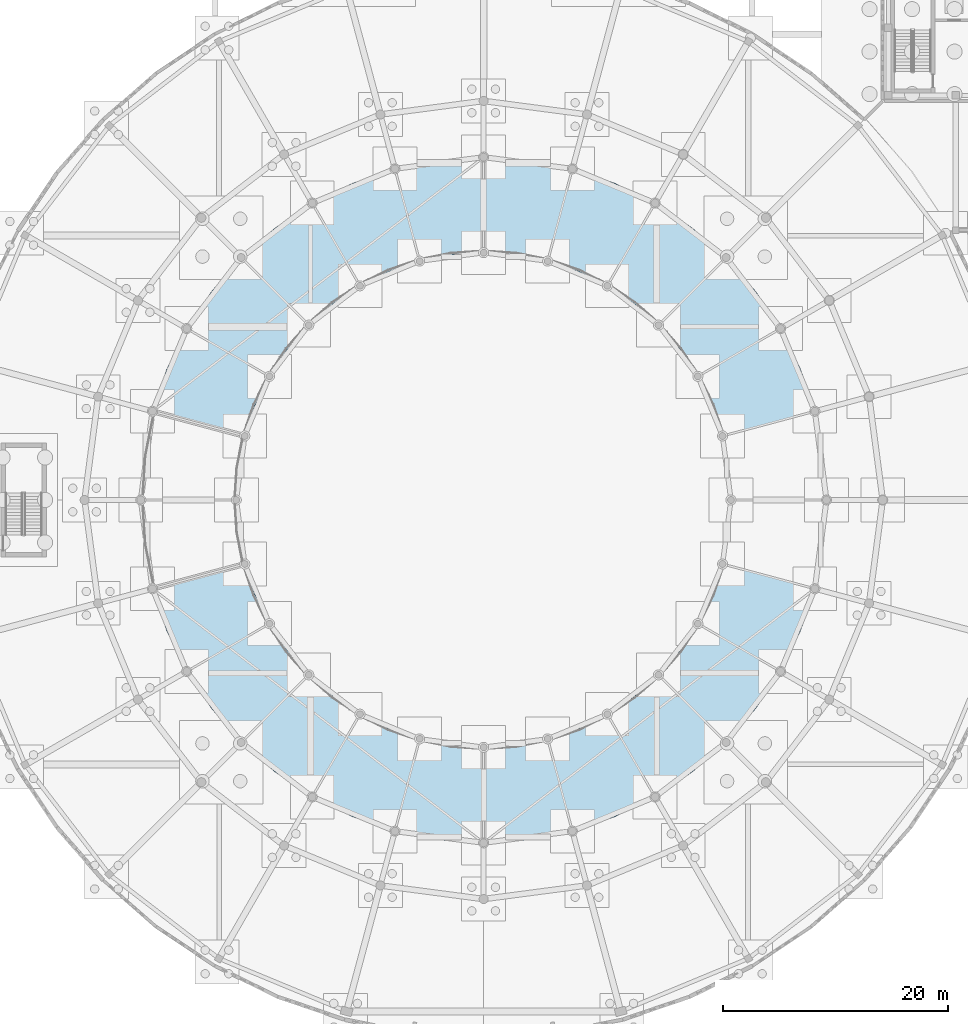
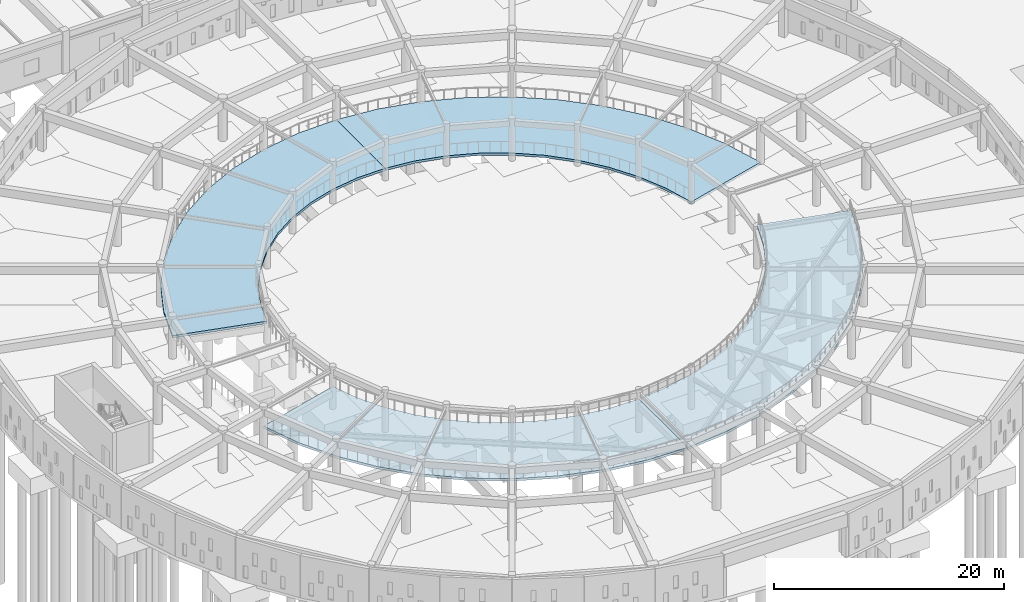
# One storey, part 66 of 84: 4 slabs.
"""IFC4 building model written with IfcOpenShell, lengths in metres."""

from ifc_helpers import new_model, si_unit, direction, origin, place, context, subcontext, project, spatial, polygons, material, layer, layer_set, type_object, element, save


model = new_model("IFC4")

# Units and contexts
model_context = context("Model", 3, precision=1e-05, world=origin(), true_north=direction((0.0, 1.0)))
body_context = subcontext(model_context, "Body", "Model", "MODEL_VIEW")
ifc_project = project(units=[si_unit("LENGTHUNIT", "METRE"), si_unit("AREAUNIT", "SQUARE_METRE"), si_unit("VOLUMEUNIT", "CUBIC_METRE"), si_unit("PLANEANGLEUNIT", "RADIAN"), si_unit("MASSUNIT", "GRAM", prefix="KILO")], contexts=[model_context])

# Site, building, storey
site_placement = place(None, origin())
site = spatial("IfcSite", under=ifc_project, at=site_placement, CompositionType="ELEMENT")
building_placement = place(site_placement, origin())
building = spatial("IfcBuilding", under=site, at=building_placement, Name="Larkveld Mobility Hub", CompositionType="ELEMENT")
storey_placement = place(building_placement, origin())
storey = spatial("IfcBuildingStorey", under=building, at=storey_placement, Name="L00", CompositionType="ELEMENT", Elevation=0.0)

# Slabs
ifc_material = material(Name="Concrete C40/50", Category="concrete")
ifc_layer = layer(ifc_material, 0.25, Name="Concrete C40/50", Category="concrete")
ifc_layer_set = layer_set([ifc_layer], Name="Concrete C40/50")
slab_type = type_object("IfcSlabType", Name="SL-RMP-HEL-250", PredefinedType="FLOOR", material=ifc_layer_set)
slab_1_placement = place(storey_placement, origin())
element("IfcSlab", 1, at=slab_1_placement, inside=storey, type_object=slab_type, Name="Car park helical vehicle ramp slab R03-R13 (L00)", PredefinedType="FLOOR", context=body_context, shape_type="Tessellation", body=[
    polygons([(77.4609375, 55.89404296875, 0.0), (69.25, 53.694091796875, 0.0), (76.177978515625, 59.672119140625, 0.113037109375), (68.324951171875, 56.4189453125, 0.113037109375), (74.4140625, 63.25, 0.22509765625), (67.052978515625, 59.0, 0.22509765625), (72.197021484375, 66.56689453125, 0.3369140625), (65.4541015625, 61.39306640625, 0.3369140625), (69.56689453125, 69.56689453125, 0.449951171875), (63.555908203125, 63.555908203125, 0.449951171875), (66.56689453125, 72.197021484375, 0.56201171875), (61.39306640625, 65.4541015625, 0.56201171875), (63.25, 74.4140625, 0.675048828125), (59.0, 67.052978515625, 0.675048828125), (59.672119140625, 76.177978515625, 0.787109375), (56.4189453125, 68.324951171875, 0.787109375), (55.89404296875, 77.4609375, 0.89990234375), (53.694091796875, 69.25, 0.89990234375), (51.98095703125, 78.239013671875, 1.011962890625), (50.8720703125, 69.81201171875, 1.011962890625), (48.0, 78.5, 1.125), (48.0, 70.0, 1.125), (77.4609375, 55.89404296875, -0.25), (69.25, 53.694091796875, -0.25), (76.177978515625, 59.672119140625, -0.136962890625), (68.324951171875, 56.4189453125, -0.136962890625), (74.4140625, 63.25, -0.02490234375), (67.052978515625, 59.0, -0.02490234375), (72.197021484375, 66.56689453125, 0.0869140625), (65.4541015625, 61.39306640625, 0.0869140625), (69.56689453125, 69.56689453125, 0.199951171875), (63.555908203125, 63.555908203125, 0.199951171875), (66.56689453125, 72.197021484375, 0.31201171875), (61.39306640625, 65.4541015625, 0.31201171875), (63.25, 74.4140625, 0.425048828125), (59.0, 67.052978515625, 0.425048828125), (59.672119140625, 76.177978515625, 0.537109375), (56.4189453125, 68.324951171875, 0.537109375), (55.89404296875, 77.4609375, 0.64990234375), (53.694091796875, 69.25, 0.64990234375), (51.98095703125, 78.239013671875, 0.761962890625), (50.8720703125, 69.81201171875, 0.761962890625), (48.0, 78.5, 0.875), (48.0, 70.0, 0.875)], [[[1, 3, 4]], [[1, 4, 2]], [[23, 26, 25]], [[23, 24, 26]], [[1, 23, 25]], [[1, 25, 3]], [[2, 4, 26]], [[2, 26, 24]], [[3, 5, 6]], [[3, 6, 4]], [[25, 28, 27]], [[25, 26, 28]], [[3, 25, 27]], [[3, 27, 5]], [[4, 6, 28]], [[4, 28, 26]], [[5, 7, 8]], [[5, 8, 6]], [[27, 30, 29]], [[27, 28, 30]], [[5, 27, 29]], [[5, 29, 7]], [[6, 8, 30]], [[6, 30, 28]], [[7, 9, 10]], [[7, 10, 8]], [[29, 32, 31]], [[29, 30, 32]], [[7, 29, 31]], [[7, 31, 9]], [[8, 10, 32]], [[8, 32, 30]], [[9, 11, 12]], [[9, 12, 10]], [[31, 34, 33]], [[31, 32, 34]], [[9, 31, 33]], [[9, 33, 11]], [[10, 12, 34]], [[10, 34, 32]], [[11, 13, 14]], [[11, 14, 12]], [[33, 36, 35]], [[33, 34, 36]], [[11, 33, 35]], [[11, 35, 13]], [[12, 14, 36]], [[12, 36, 34]], [[13, 15, 16]], [[13, 16, 14]], [[35, 38, 37]], [[35, 36, 38]], [[13, 35, 37]], [[13, 37, 15]], [[14, 16, 38]], [[14, 38, 36]], [[15, 17, 18]], [[15, 18, 16]], [[37, 40, 39]], [[37, 38, 40]], [[15, 37, 39]], [[15, 39, 17]], [[16, 18, 40]], [[16, 40, 38]], [[17, 19, 20]], [[17, 20, 18]], [[39, 42, 41]], [[39, 40, 42]], [[17, 39, 41]], [[17, 41, 19]], [[18, 20, 42]], [[18, 42, 40]], [[19, 21, 22]], [[19, 22, 20]], [[41, 44, 43]], [[41, 42, 44]], [[19, 41, 43]], [[19, 43, 21]], [[20, 22, 44]], [[20, 44, 42]], [[1, 2, 24]], [[1, 24, 23]], [[21, 43, 44]], [[21, 44, 22]]], closed=True),
])
slab_2_placement = place(storey_placement, origin())
element("IfcSlab", 2, at=slab_2_placement, inside=storey, type_object=slab_type, Name="Car park helical vehicle ramp slab R13-R23 (L00)", PredefinedType="FLOOR", context=body_context, shape_type="Tessellation", body=[
    polygons([(48.0, 78.5, 1.125), (48.0, 70.0, 1.125), (44.01904296875, 78.239013671875, 1.238037109375), (45.1279296875, 69.81201171875, 1.238037109375), (40.10595703125, 77.4609375, 1.35009765625), (42.305908203125, 69.25, 1.35009765625), (36.327880859375, 76.177978515625, 1.4619140625), (39.5810546875, 68.324951171875, 1.4619140625), (32.75, 74.4140625, 1.574951171875), (37.0, 67.052978515625, 1.574951171875), (29.43310546875, 72.197021484375, 1.68798828125), (34.60693359375, 65.4541015625, 1.68798828125), (26.43310546875, 69.56689453125, 1.800048828125), (32.444091796875, 63.555908203125, 1.800048828125), (23.802978515625, 66.56689453125, 1.9130859375), (30.5458984375, 61.39306640625, 1.9130859375), (21.5859375, 63.25, 2.02490234375), (28.947021484375, 59.0, 2.02490234375), (19.822021484375, 59.672119140625, 2.137939453125), (27.675048828125, 56.4189453125, 2.137939453125), (18.5390625, 55.89404296875, 2.25), (26.75, 53.694091796875, 2.25), (48.0, 78.5, 0.875), (48.0, 70.0, 0.875), (44.01904296875, 78.239013671875, 0.988037109375), (45.1279296875, 69.81201171875, 0.988037109375), (40.10595703125, 77.4609375, 1.10009765625), (42.305908203125, 69.25, 1.10009765625), (36.327880859375, 76.177978515625, 1.2119140625), (39.5810546875, 68.324951171875, 1.2119140625), (32.75, 74.4140625, 1.324951171875), (37.0, 67.052978515625, 1.324951171875), (29.43310546875, 72.197021484375, 1.43798828125), (34.60693359375, 65.4541015625, 1.43798828125), (26.43310546875, 69.56689453125, 1.550048828125), (32.444091796875, 63.555908203125, 1.550048828125), (23.802978515625, 66.56689453125, 1.6630859375), (30.5458984375, 61.39306640625, 1.6630859375), (21.5859375, 63.25, 1.77490234375), (28.947021484375, 59.0, 1.77490234375), (19.822021484375, 59.672119140625, 1.887939453125), (27.675048828125, 56.4189453125, 1.887939453125), (18.5390625, 55.89404296875, 2.0), (26.75, 53.694091796875, 2.0)], [[[1, 3, 4]], [[1, 4, 2]], [[23, 26, 25]], [[23, 24, 26]], [[1, 23, 25]], [[1, 25, 3]], [[2, 4, 26]], [[2, 26, 24]], [[3, 5, 6]], [[3, 6, 4]], [[25, 28, 27]], [[25, 26, 28]], [[3, 25, 27]], [[3, 27, 5]], [[4, 6, 28]], [[4, 28, 26]], [[5, 7, 8]], [[5, 8, 6]], [[27, 30, 29]], [[27, 28, 30]], [[5, 27, 29]], [[5, 29, 7]], [[6, 8, 30]], [[6, 30, 28]], [[7, 9, 10]], [[7, 10, 8]], [[29, 32, 31]], [[29, 30, 32]], [[7, 29, 31]], [[7, 31, 9]], [[8, 10, 32]], [[8, 32, 30]], [[9, 11, 12]], [[9, 12, 10]], [[31, 34, 33]], [[31, 32, 34]], [[9, 31, 33]], [[9, 33, 11]], [[10, 12, 34]], [[10, 34, 32]], [[11, 13, 14]], [[11, 14, 12]], [[33, 36, 35]], [[33, 34, 36]], [[11, 33, 35]], [[11, 35, 13]], [[12, 14, 36]], [[12, 36, 34]], [[13, 15, 16]], [[13, 16, 14]], [[35, 38, 37]], [[35, 36, 38]], [[13, 35, 37]], [[13, 37, 15]], [[14, 16, 38]], [[14, 38, 36]], [[15, 17, 18]], [[15, 18, 16]], [[37, 40, 39]], [[37, 38, 40]], [[15, 37, 39]], [[15, 39, 17]], [[16, 18, 40]], [[16, 40, 38]], [[17, 19, 20]], [[17, 20, 18]], [[39, 42, 41]], [[39, 40, 42]], [[17, 39, 41]], [[17, 41, 19]], [[18, 20, 42]], [[18, 42, 40]], [[19, 21, 22]], [[19, 22, 20]], [[41, 44, 43]], [[41, 42, 44]], [[19, 41, 43]], [[19, 43, 21]], [[20, 22, 44]], [[20, 44, 42]], [[1, 2, 24]], [[1, 24, 23]], [[21, 43, 44]], [[21, 44, 22]]], closed=True),
])
slab_3_placement = place(storey_placement, origin())
element("IfcSlab", 3, at=slab_3_placement, inside=storey, type_object=slab_type, Name="Car park helical vehicle ramp slab R27-R37 (L00)", PredefinedType="FLOOR", context=body_context, shape_type="Tessellation", body=[
    polygons([(18.5390625, 40.10595703125, 2.25), (26.75, 42.305908203125, 2.25), (19.822021484375, 36.327880859375, 2.362060546875), (27.675048828125, 39.5810546875, 2.362060546875), (21.5859375, 32.75, 2.47509765625), (28.947021484375, 37.0, 2.47509765625), (23.802978515625, 29.43310546875, 2.5869140625), (30.5458984375, 34.60693359375, 2.5869140625), (26.43310546875, 26.43310546875, 2.699951171875), (32.444091796875, 32.444091796875, 2.699951171875), (29.43310546875, 23.802978515625, 2.81201171875), (34.60693359375, 30.5458984375, 2.81201171875), (32.75, 21.5859375, 2.925048828125), (37.0, 28.947021484375, 2.925048828125), (36.327880859375, 19.822021484375, 3.0380859375), (39.5810546875, 27.675048828125, 3.0380859375), (40.10595703125, 18.5390625, 3.14990234375), (42.305908203125, 26.75, 3.14990234375), (44.01904296875, 17.760986328125, 3.262939453125), (45.1279296875, 26.18798828125, 3.262939453125), (48.0, 17.5, 3.375), (48.0, 26.0, 3.375), (18.5390625, 40.10595703125, 2.0), (26.75, 42.305908203125, 2.0), (19.822021484375, 36.327880859375, 2.112060546875), (27.675048828125, 39.5810546875, 2.112060546875), (21.5859375, 32.75, 2.22509765625), (28.947021484375, 37.0, 2.22509765625), (23.802978515625, 29.43310546875, 2.3369140625), (30.5458984375, 34.60693359375, 2.3369140625), (26.43310546875, 26.43310546875, 2.449951171875), (32.444091796875, 32.444091796875, 2.449951171875), (29.43310546875, 23.802978515625, 2.56201171875), (34.60693359375, 30.5458984375, 2.56201171875), (32.75, 21.5859375, 2.675048828125), (37.0, 28.947021484375, 2.675048828125), (36.327880859375, 19.822021484375, 2.7880859375), (39.5810546875, 27.675048828125, 2.7880859375), (40.10595703125, 18.5390625, 2.89990234375), (42.305908203125, 26.75, 2.89990234375), (44.01904296875, 17.760986328125, 3.012939453125), (45.1279296875, 26.18798828125, 3.012939453125), (48.0, 17.5, 3.125), (48.0, 26.0, 3.125)], [[[1, 3, 4]], [[1, 4, 2]], [[23, 26, 25]], [[23, 24, 26]], [[1, 23, 25]], [[1, 25, 3]], [[2, 4, 26]], [[2, 26, 24]], [[3, 5, 6]], [[3, 6, 4]], [[25, 28, 27]], [[25, 26, 28]], [[3, 25, 27]], [[3, 27, 5]], [[4, 6, 28]], [[4, 28, 26]], [[5, 7, 8]], [[5, 8, 6]], [[27, 30, 29]], [[27, 28, 30]], [[5, 27, 29]], [[5, 29, 7]], [[6, 8, 30]], [[6, 30, 28]], [[7, 9, 10]], [[7, 10, 8]], [[29, 32, 31]], [[29, 30, 32]], [[7, 29, 31]], [[7, 31, 9]], [[8, 10, 32]], [[8, 32, 30]], [[9, 11, 12]], [[9, 12, 10]], [[31, 34, 33]], [[31, 32, 34]], [[9, 31, 33]], [[9, 33, 11]], [[10, 12, 34]], [[10, 34, 32]], [[11, 13, 14]], [[11, 14, 12]], [[33, 36, 35]], [[33, 34, 36]], [[11, 33, 35]], [[11, 35, 13]], [[12, 14, 36]], [[12, 36, 34]], [[13, 15, 16]], [[13, 16, 14]], [[35, 38, 37]], [[35, 36, 38]], [[13, 35, 37]], [[13, 37, 15]], [[14, 16, 38]], [[14, 38, 36]], [[15, 17, 18]], [[15, 18, 16]], [[37, 40, 39]], [[37, 38, 40]], [[15, 37, 39]], [[15, 39, 17]], [[16, 18, 40]], [[16, 40, 38]], [[17, 19, 20]], [[17, 20, 18]], [[39, 42, 41]], [[39, 40, 42]], [[17, 39, 41]], [[17, 41, 19]], [[18, 20, 42]], [[18, 42, 40]], [[19, 21, 22]], [[19, 22, 20]], [[41, 44, 43]], [[41, 42, 44]], [[19, 41, 43]], [[19, 43, 21]], [[20, 22, 44]], [[20, 44, 42]], [[1, 2, 24]], [[1, 24, 23]], [[21, 43, 44]], [[21, 44, 22]]], closed=True),
])
slab_4_placement = place(storey_placement, origin())
element("IfcSlab", 4, at=slab_4_placement, inside=storey, type_object=slab_type, Name="Car park helical vehicle ramp slab R37-R47 (L00)", PredefinedType="FLOOR", context=body_context, shape_type="Tessellation", body=[
    polygons([(48.0, 17.5, 3.375), (48.0, 26.0, 3.375), (51.98095703125, 17.760986328125, 3.487060546875), (50.8720703125, 26.18798828125, 3.487060546875), (55.89404296875, 18.5390625, 3.60009765625), (53.694091796875, 26.75, 3.60009765625), (59.672119140625, 19.822021484375, 3.7119140625), (56.4189453125, 27.675048828125, 3.7119140625), (63.25, 21.5859375, 3.824951171875), (59.0, 28.947021484375, 3.824951171875), (66.56689453125, 23.802978515625, 3.93798828125), (61.39306640625, 30.5458984375, 3.93798828125), (69.56689453125, 26.43310546875, 4.050048828125), (63.555908203125, 32.444091796875, 4.050048828125), (72.197021484375, 29.43310546875, 4.162109375), (65.4541015625, 34.60693359375, 4.162109375), (74.4140625, 32.75, 4.27490234375), (67.052978515625, 37.0, 4.27490234375), (76.177978515625, 36.327880859375, 4.387939453125), (68.324951171875, 39.5810546875, 4.387939453125), (77.4609375, 40.10595703125, 4.5), (69.25, 42.305908203125, 4.5), (48.0, 17.5, 3.125), (48.0, 26.0, 3.125), (51.98095703125, 17.760986328125, 3.237060546875), (50.8720703125, 26.18798828125, 3.237060546875), (55.89404296875, 18.5390625, 3.35009765625), (53.694091796875, 26.75, 3.35009765625), (59.672119140625, 19.822021484375, 3.4619140625), (56.4189453125, 27.675048828125, 3.4619140625), (63.25, 21.5859375, 3.574951171875), (59.0, 28.947021484375, 3.574951171875), (66.56689453125, 23.802978515625, 3.68798828125), (61.39306640625, 30.5458984375, 3.68798828125), (69.56689453125, 26.43310546875, 3.800048828125), (63.555908203125, 32.444091796875, 3.800048828125), (72.197021484375, 29.43310546875, 3.912109375), (65.4541015625, 34.60693359375, 3.912109375), (74.4140625, 32.75, 4.02490234375), (67.052978515625, 37.0, 4.02490234375), (76.177978515625, 36.327880859375, 4.137939453125), (68.324951171875, 39.5810546875, 4.137939453125), (77.4609375, 40.10595703125, 4.25), (69.25, 42.305908203125, 4.25)], [[[1, 3, 4]], [[1, 4, 2]], [[23, 26, 25]], [[23, 24, 26]], [[1, 23, 25]], [[1, 25, 3]], [[2, 4, 26]], [[2, 26, 24]], [[3, 5, 6]], [[3, 6, 4]], [[25, 28, 27]], [[25, 26, 28]], [[3, 25, 27]], [[3, 27, 5]], [[4, 6, 28]], [[4, 28, 26]], [[5, 7, 8]], [[5, 8, 6]], [[27, 30, 29]], [[27, 28, 30]], [[5, 27, 29]], [[5, 29, 7]], [[6, 8, 30]], [[6, 30, 28]], [[7, 9, 10]], [[7, 10, 8]], [[29, 32, 31]], [[29, 30, 32]], [[7, 29, 31]], [[7, 31, 9]], [[8, 10, 32]], [[8, 32, 30]], [[9, 11, 12]], [[9, 12, 10]], [[31, 34, 33]], [[31, 32, 34]], [[9, 31, 33]], [[9, 33, 11]], [[10, 12, 34]], [[10, 34, 32]], [[11, 13, 14]], [[11, 14, 12]], [[33, 36, 35]], [[33, 34, 36]], [[11, 33, 35]], [[11, 35, 13]], [[12, 14, 36]], [[12, 36, 34]], [[13, 15, 16]], [[13, 16, 14]], [[35, 38, 37]], [[35, 36, 38]], [[13, 35, 37]], [[13, 37, 15]], [[14, 16, 38]], [[14, 38, 36]], [[15, 17, 18]], [[15, 18, 16]], [[37, 40, 39]], [[37, 38, 40]], [[15, 37, 39]], [[15, 39, 17]], [[16, 18, 40]], [[16, 40, 38]], [[17, 19, 20]], [[17, 20, 18]], [[39, 42, 41]], [[39, 40, 42]], [[17, 39, 41]], [[17, 41, 19]], [[18, 20, 42]], [[18, 42, 40]], [[19, 21, 22]], [[19, 22, 20]], [[41, 44, 43]], [[41, 42, 44]], [[19, 41, 43]], [[19, 43, 21]], [[20, 22, 44]], [[20, 44, 42]], [[1, 2, 24]], [[1, 24, 23]], [[21, 43, 44]], [[21, 44, 22]]], closed=True),
])

save(model, "model.ifc")
